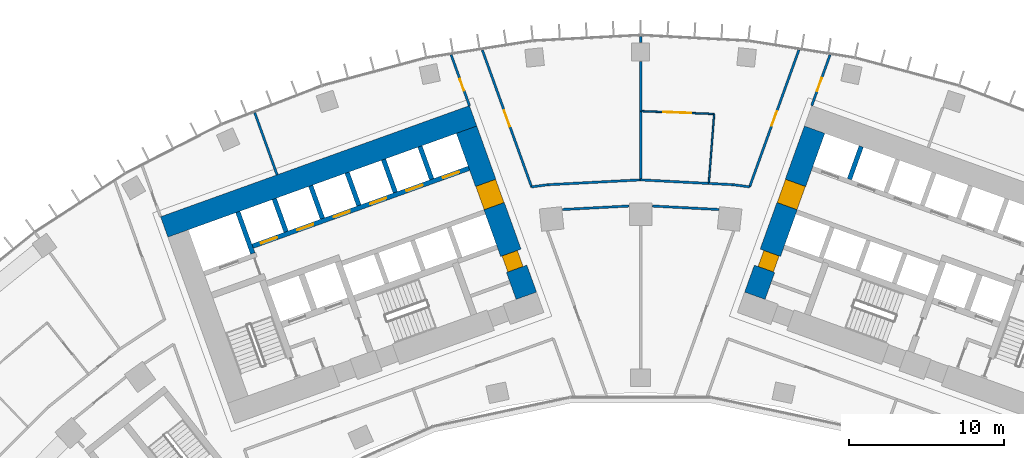
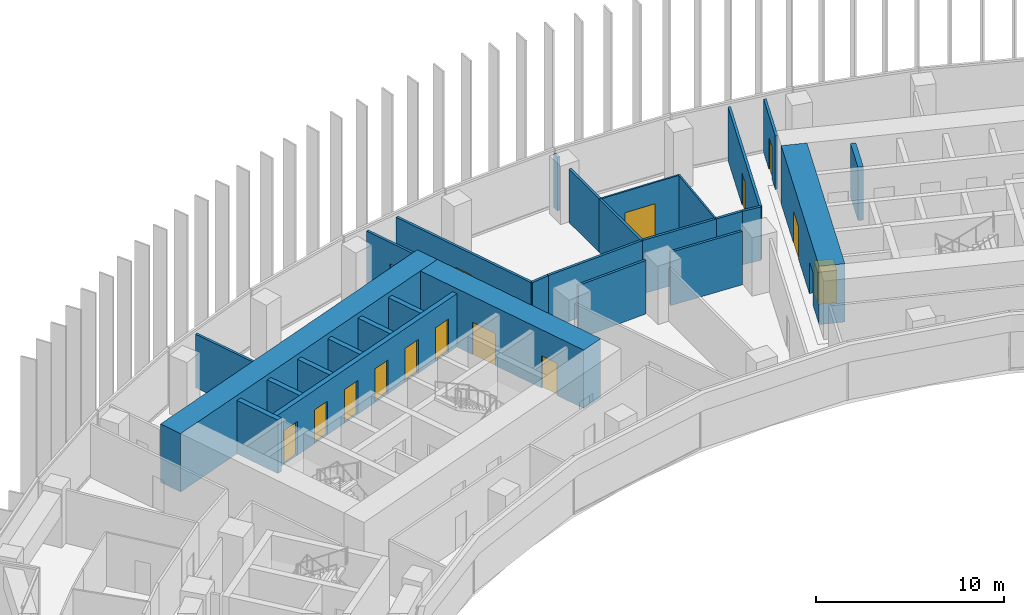
# One storey, part 17 of 22: 28 walls, 15 doors, 15 openings.
"""IFC4 building model written with IfcOpenShell, lengths in metres."""

from ifc_helpers import new_model, si_unit, direction, frame, frame_2d, origin, place, context, subcontext, project, spatial, rectangle, extrude, material, layer, layer_set, type_object, element, fill, save


model = new_model("IFC4")

# Units and contexts
model_context = context("Model", 3, precision=1e-05, world=origin(), true_north=direction((0.0, 1.0)))
body_context = subcontext(model_context, "Body", "Model", "MODEL_VIEW")
ifc_project = project(units=[si_unit("LENGTHUNIT", "METRE"), si_unit("AREAUNIT", "SQUARE_METRE"), si_unit("VOLUMEUNIT", "CUBIC_METRE"), si_unit("PLANEANGLEUNIT", "RADIAN"), si_unit("MASSUNIT", "GRAM", prefix="KILO")], contexts=[model_context])

# Site, building, storey
site_placement = place(None, origin())
site = spatial("IfcSite", under=ifc_project, at=site_placement, CompositionType="ELEMENT")
building_placement = place(site_placement, origin())
building = spatial("IfcBuilding", under=site, at=building_placement, Name="Stone Belt Terrace Tower", CompositionType="ELEMENT")
storey_placement = place(building_placement, frame((0.0, 0.0, 109.800048828125)))
storey = spatial("IfcBuildingStorey", under=building, at=storey_placement, Name="L26", CompositionType="ELEMENT", Elevation=109.800048828125)

# Wall
ifc_material_1 = material(Name="Concrete B80", Category="concrete")
ifc_layer_1 = layer(ifc_material_1, 1.39990234375)
ifc_layer_set_1 = layer_set([ifc_layer_1], Name="Core wall 1400 B80")
wall_type_1 = type_object("IfcWallType", Name="Core wall 1400 B80", PredefinedType="SHEAR", material=ifc_layer_set_1)
wall_1_placement = place(storey_placement, frame((-30.765380859375, 54.18310546875, 0.0), z_axis=(0.0, 0.0, 1.0), x_axis=(0.940919704758, 0.338629752382, 0.0)))
element("IfcWall", 1, at=wall_1_placement, inside=storey, type_object=wall_type_1, Name="Core A wall convex L26", PredefinedType="SHEAR", context=body_context, shape_type="SweptSolid", body=[
    extrude(rectangle(XDim=21.199951171875, YDim=1.39990234375, at=frame_2d((10.60009765625, 0.0))), origin(), (0.0, 0.0, 1.0), 3.800048828125),
])

# Wall, openings, doors
wall_2_placement = place(storey_placement, frame((-7.379150390625, 49.73974609375, 0.0), z_axis=(0.0, 0.0, 1.0), x_axis=(-0.338625431531, 0.940921259788, 0.0)))
wall_2 = element("IfcWall", 2, at=wall_2_placement, inside=storey, type_object=wall_type_1, Name="Core A wall end_b L26", PredefinedType="SHEAR", context=body_context, shape_type="SweptSolid", body=[
    extrude(rectangle(XDim=11.400146484375, YDim=1.39990234375, at=frame_2d((5.7001953125, 0.0))), origin(), (0.0, 0.0, 1.0), 3.800048828125),
])
opening_1_placement = place(wall_2_placement, frame((6.14990234375, 0.0, 0.0)))
opening_1 = element("IfcOpeningElement", 3, at=opening_1_placement, cuts=wall_2, Name="Opening L26-C02", PredefinedType="OPENING", context=body_context, shape_type="SweptSolid", body=[
    extrude(rectangle(XDim=1.60009765625, YDim=2.10009765625, at=frame_2d((0.800048828125, 1.050048828125))), frame((0.0, 0.7099609375, 0.0), z_axis=(0.0, -1.0, 0.0), x_axis=(1.0, 0.0, 0.0)), (0.0, 0.0, 1.0), 1.419921875),
])
opening_2_placement = place(wall_2_placement, frame((1.85009765625, 0.0, 0.0)))
opening_2 = element("IfcOpeningElement", 4, at=opening_2_placement, cuts=wall_2, Name="Opening L26-C08", PredefinedType="OPENING", context=body_context, shape_type="SweptSolid", body=[
    extrude(rectangle(XDim=1.10009765625, YDim=2.10009765625, at=frame_2d((0.550048828125, 1.050048828125))), frame((0.0, 0.7099609375, 0.0), z_axis=(0.0, -1.0, 0.0), x_axis=(1.0, 0.0, 0.0)), (0.0, 0.0, 1.0), 1.419921875),
])
ifc_material_2 = material(Name="Timber door leaf", Category="wood")
door_type_1 = type_object("IfcDoorType", Name="Core room door 1100", OperationType="SINGLE_SWING_LEFT", PredefinedType="DOOR", material=ifc_material_2)
door_1_placement = place(opening_2_placement, origin())
door_1 = element("IfcDoor", 5, at=door_1_placement, inside=storey, type_object=door_type_1, Name="Door to Accessible WC core A", OperationType="SINGLE_SWING_RIGHT", OverallHeight=2.10009765625, OverallWidth=1.10009765625, PredefinedType="DOOR", context=body_context, shape_type="SweptSolid", body=[
    extrude(rectangle(XDim=1.10009765625, YDim=2.10009765625, at=frame_2d((0.550048828125, 1.050048828125))), frame((0.0, 0.60498046875, 0.0), z_axis=(0.0, -1.0, 0.0), x_axis=(1.0, 0.0, 0.0)), (0.0, 0.0, 1.0), 1.050048828125),
])
fill(opening_2, door_1)
ifc_material_3 = material(Name="Glazed aluminium door leaf", Category="aluminium")
door_type_2 = type_object("IfcDoorType", Name="Lift lobby entrance door 1600", OperationType="DOUBLE_DOOR_SINGLE_SWING", PredefinedType="DOOR", material=ifc_material_3)
door_2_placement = place(opening_1_placement, origin())
door_2 = element("IfcDoor", 6, at=door_2_placement, inside=storey, type_object=door_type_2, Name="Lift lobby entrance door core A", OperationType="DOUBLE_DOOR_SINGLE_SWING", OverallHeight=2.10009765625, OverallWidth=1.60009765625, PredefinedType="DOOR", context=body_context, shape_type="SweptSolid", body=[
    extrude(rectangle(XDim=1.60009765625, YDim=2.10009765625, at=frame_2d((0.800048828125, 1.050048828125))), frame((0.0, 0.68017578125, 0.0), z_axis=(0.0, -1.0, 0.0), x_axis=(1.0, 0.0, 0.0)), (0.0, 0.0, 1.0), 1.360107421875),
])
fill(opening_1, door_2)

wall_3_placement = place(storey_placement, frame((7.379150390625, 49.73974609375, 0.0), z_axis=(0.0, 0.0, 1.0), x_axis=(0.338625431531, 0.940921259788, 0.0)))
wall_3 = element("IfcWall", 7, at=wall_3_placement, inside=storey, type_object=wall_type_1, Name="Core B wall end_a L26", PredefinedType="SHEAR", context=body_context, shape_type="SweptSolid", body=[
    extrude(rectangle(XDim=11.400146484375, YDim=1.39990234375, at=frame_2d((5.7001953125, 0.0))), origin(), (0.0, 0.0, 1.0), 3.800048828125),
])
opening_3_placement = place(wall_3_placement, frame((6.14990234375, 0.0, 0.0)))
opening_3 = element("IfcOpeningElement", 8, at=opening_3_placement, cuts=wall_3, Name="Opening L26-C11", PredefinedType="OPENING", context=body_context, shape_type="SweptSolid", body=[
    extrude(rectangle(XDim=1.60009765625, YDim=2.10009765625, at=frame_2d((0.800048828125, 1.050048828125))), frame((0.0, 0.7099609375, 0.0), z_axis=(0.0, -1.0, 0.0), x_axis=(1.0, 0.0, 0.0)), (0.0, 0.0, 1.0), 1.419921875),
])
opening_4_placement = place(wall_3_placement, frame((1.85009765625, 0.0, 0.0)))
opening_4 = element("IfcOpeningElement", 9, at=opening_4_placement, cuts=wall_3, Name="Opening L26-C17", PredefinedType="OPENING", context=body_context, shape_type="SweptSolid", body=[
    extrude(rectangle(XDim=1.10009765625, YDim=2.10009765625, at=frame_2d((0.550048828125, 1.050048828125))), frame((0.0, 0.7099609375, 0.0), z_axis=(0.0, -1.0, 0.0), x_axis=(1.0, 0.0, 0.0)), (0.0, 0.0, 1.0), 1.419921875),
])
door_3_placement = place(opening_4_placement, origin())
door_3 = element("IfcDoor", 10, at=door_3_placement, inside=storey, type_object=door_type_1, Name="Door to Accessible WC core B", OperationType="SINGLE_SWING_LEFT", OverallHeight=2.10009765625, OverallWidth=1.10009765625, PredefinedType="DOOR", context=body_context, shape_type="SweptSolid", body=[
    extrude(rectangle(XDim=1.10009765625, YDim=2.10009765625, at=frame_2d((0.550048828125, 1.050048828125))), frame((0.0, 0.44482421875, 0.0), z_axis=(0.0, -1.0, 0.0), x_axis=(1.0, 0.0, 0.0)), (0.0, 0.0, 1.0), 1.050048828125),
])
fill(opening_4, door_3)
door_4_placement = place(opening_3_placement, origin())
door_4 = element("IfcDoor", 11, at=door_4_placement, inside=storey, type_object=door_type_2, Name="Lift lobby entrance door core B", OperationType="DOUBLE_DOOR_SINGLE_SWING", OverallHeight=2.10009765625, OverallWidth=1.60009765625, PredefinedType="DOOR", context=body_context, shape_type="SweptSolid", body=[
    extrude(rectangle(XDim=1.60009765625, YDim=2.10009765625, at=frame_2d((0.800048828125, 1.050048828125))), frame((0.0, 0.68017578125, 0.0), z_axis=(0.0, -1.0, 0.0), x_axis=(1.0, 0.0, 0.0)), (0.0, 0.0, 1.0), 1.360107421875),
])
fill(opening_3, door_4)

# Wall
ifc_layer_2 = layer(ifc_material_1, 0.300048828125)
ifc_layer_set_2 = layer_set([ifc_layer_2], Name="Lift shaft wall 300")
wall_type_2 = type_object("IfcWallType", Name="Lift shaft wall 300", PredefinedType="SHEAR", material=ifc_layer_set_2)
wall_4_placement = place(storey_placement, frame((-25.046875, 52.46826171875, 0.0), z_axis=(0.0, 0.0, 1.0), x_axis=(-0.338549588058, 0.940948551423, 0.0)))
element("IfcWall", 12, at=wall_4_placement, inside=storey, type_object=wall_type_2, Name="Core A wall", PredefinedType="SHEAR", context=body_context, shape_type="SweptSolid", body=[
    extrude(rectangle(XDim=2.849853515625, YDim=0.300048828125, at=frame_2d((1.4248046875, 0.0))), origin(), (0.0, 0.0, 1.0), 3.47998046875),
])

# Wall, openings, doors
wall_5_placement = place(storey_placement, frame((-25.05810546875, 52.9423828125, 0.0), z_axis=(0.0, 0.0, 1.0), x_axis=(0.940918215764, 0.338633889685, 0.0)))
wall_5 = element("IfcWall", 13, at=wall_5_placement, inside=storey, type_object=wall_type_2, Name="Core A wall", PredefinedType="SHEAR", context=body_context, shape_type="SweptSolid", body=[
    extrude(rectangle(XDim=14.850341796875, YDim=0.300048828125, at=frame_2d((7.42529296875, 0.0))), origin(), (0.0, 0.0, 1.0), 3.47998046875),
])
opening_5_placement = place(wall_5_placement, frame((0.570068359375, 0.0, 0.0)))
opening_5 = element("IfcOpeningElement", 14, at=opening_5_placement, cuts=wall_5, Name="Opening L26-LD01", PredefinedType="OPENING", context=body_context, shape_type="SweptSolid", body=[
    extrude(rectangle(XDim=1.10009765625, YDim=2.199951171875, at=frame_2d((0.550048828125, 1.10009765625))), frame((0.0, 0.159912109375, 0.0), z_axis=(0.0, -1.0, 0.0), x_axis=(1.0, 0.0, 0.0)), (0.0, 0.0, 1.0), 0.320068359375),
])
opening_6_placement = place(wall_5_placement, frame((3.070068359375, 0.0, 0.0)))
opening_6 = element("IfcOpeningElement", 15, at=opening_6_placement, cuts=wall_5, Name="Opening L26-LD02", PredefinedType="OPENING", context=body_context, shape_type="SweptSolid", body=[
    extrude(rectangle(XDim=1.10009765625, YDim=2.199951171875, at=frame_2d((0.550048828125, 1.10009765625))), frame((0.0, 0.159912109375, 0.0), z_axis=(0.0, -1.0, 0.0), x_axis=(1.0, 0.0, 0.0)), (0.0, 0.0, 1.0), 0.320068359375),
])
opening_7_placement = place(wall_5_placement, frame((5.570068359375, 0.0, 0.0)))
opening_7 = element("IfcOpeningElement", 16, at=opening_7_placement, cuts=wall_5, Name="Opening L26-LD03", PredefinedType="OPENING", context=body_context, shape_type="SweptSolid", body=[
    extrude(rectangle(XDim=1.10009765625, YDim=2.199951171875, at=frame_2d((0.550048828125, 1.10009765625))), frame((0.0, 0.159912109375, 0.0), z_axis=(0.0, -1.0, 0.0), x_axis=(1.0, 0.0, 0.0)), (0.0, 0.0, 1.0), 0.320068359375),
])
opening_8_placement = place(wall_5_placement, frame((8.070068359375, 0.0, 0.0)))
opening_8 = element("IfcOpeningElement", 17, at=opening_8_placement, cuts=wall_5, Name="Opening L26-LD04", PredefinedType="OPENING", context=body_context, shape_type="SweptSolid", body=[
    extrude(rectangle(XDim=1.10009765625, YDim=2.199951171875, at=frame_2d((0.550048828125, 1.10009765625))), frame((0.0, 0.159912109375, 0.0), z_axis=(0.0, -1.0, 0.0), x_axis=(1.0, 0.0, 0.0)), (0.0, 0.0, 1.0), 0.320068359375),
])
opening_9_placement = place(wall_5_placement, frame((10.570068359375, 0.0, 0.0)))
opening_9 = element("IfcOpeningElement", 18, at=opening_9_placement, cuts=wall_5, Name="Opening L26-LD05", PredefinedType="OPENING", context=body_context, shape_type="SweptSolid", body=[
    extrude(rectangle(XDim=1.10009765625, YDim=2.199951171875, at=frame_2d((0.550048828125, 1.10009765625))), frame((0.0, 0.159912109375, 0.0), z_axis=(0.0, -1.0, 0.0), x_axis=(1.0, 0.0, 0.0)), (0.0, 0.0, 1.0), 0.320068359375),
])
opening_10_placement = place(wall_5_placement, frame((13.070068359375, 0.0, 0.0)))
opening_10 = element("IfcOpeningElement", 19, at=opening_10_placement, cuts=wall_5, Name="Opening L26-LD06", PredefinedType="OPENING", context=body_context, shape_type="SweptSolid", body=[
    extrude(rectangle(XDim=1.10009765625, YDim=2.199951171875, at=frame_2d((0.550048828125, 1.10009765625))), frame((0.0, 0.159912109375, 0.0), z_axis=(0.0, -1.0, 0.0), x_axis=(1.0, 0.0, 0.0)), (0.0, 0.0, 1.0), 0.320068359375),
])
ifc_material_4 = material(Name="Stainless steel door leaf", Category="steel")
door_type_3 = type_object("IfcDoorType", Name="Landing door 1100", OperationType="SLIDING_TO_LEFT", PredefinedType="DOOR", material=ifc_material_4)
door_5_placement = place(opening_5_placement, origin())
door_5 = element("IfcDoor", 20, at=door_5_placement, inside=storey, type_object=door_type_3, Name="Landing door LR1 core A", OperationType="SLIDING_TO_LEFT", OverallHeight=2.199951171875, OverallWidth=1.10009765625, PredefinedType="DOOR", context=body_context, shape_type="SweptSolid", body=[
    extrude(rectangle(XDim=1.10009765625, YDim=2.199951171875, at=frame_2d((0.550048828125, 1.10009765625))), frame((0.0, 0.02490234375, 0.0), z_axis=(0.0, -1.0, 0.0), x_axis=(1.0, 0.0, 0.0)), (0.0, 0.0, 1.0), 0.050048828125),
])
fill(opening_5, door_5)
door_6_placement = place(opening_6_placement, origin())
door_6 = element("IfcDoor", 21, at=door_6_placement, inside=storey, type_object=door_type_3, Name="Landing door LR2 core A", OperationType="SLIDING_TO_LEFT", OverallHeight=2.199951171875, OverallWidth=1.10009765625, PredefinedType="DOOR", context=body_context, shape_type="SweptSolid", body=[
    extrude(rectangle(XDim=1.10009765625, YDim=2.199951171875, at=frame_2d((0.550048828125, 1.10009765625))), frame((0.0, 0.02490234375, 0.0), z_axis=(0.0, -1.0, 0.0), x_axis=(1.0, 0.0, 0.0)), (0.0, 0.0, 1.0), 0.050048828125),
])
fill(opening_6, door_6)
door_7_placement = place(opening_7_placement, origin())
door_7 = element("IfcDoor", 22, at=door_7_placement, inside=storey, type_object=door_type_3, Name="Landing door LR3 core A", OperationType="SLIDING_TO_LEFT", OverallHeight=2.199951171875, OverallWidth=1.10009765625, PredefinedType="DOOR", context=body_context, shape_type="SweptSolid", body=[
    extrude(rectangle(XDim=1.10009765625, YDim=2.199951171875, at=frame_2d((0.550048828125, 1.10009765625))), frame((0.0, 0.02490234375, 0.0), z_axis=(0.0, -1.0, 0.0), x_axis=(1.0, 0.0, 0.0)), (0.0, 0.0, 1.0), 0.050048828125),
])
fill(opening_7, door_7)
door_8_placement = place(opening_8_placement, origin())
door_8 = element("IfcDoor", 23, at=door_8_placement, inside=storey, type_object=door_type_3, Name="Landing door LR4 core A", OperationType="SLIDING_TO_LEFT", OverallHeight=2.199951171875, OverallWidth=1.10009765625, PredefinedType="DOOR", context=body_context, shape_type="SweptSolid", body=[
    extrude(rectangle(XDim=1.10009765625, YDim=2.199951171875, at=frame_2d((0.550048828125, 1.10009765625))), frame((0.0, 0.02490234375, 0.0), z_axis=(0.0, -1.0, 0.0), x_axis=(1.0, 0.0, 0.0)), (0.0, 0.0, 1.0), 0.050048828125),
])
fill(opening_8, door_8)
door_9_placement = place(opening_9_placement, origin())
door_9 = element("IfcDoor", 24, at=door_9_placement, inside=storey, type_object=door_type_3, Name="Landing door LR5 core A", OperationType="SLIDING_TO_LEFT", OverallHeight=2.199951171875, OverallWidth=1.10009765625, PredefinedType="DOOR", context=body_context, shape_type="SweptSolid", body=[
    extrude(rectangle(XDim=1.10009765625, YDim=2.199951171875, at=frame_2d((0.550048828125, 1.10009765625))), frame((0.0, 0.02490234375, 0.0), z_axis=(0.0, -1.0, 0.0), x_axis=(1.0, 0.0, 0.0)), (0.0, 0.0, 1.0), 0.050048828125),
])
fill(opening_9, door_9)
door_10_placement = place(opening_10_placement, origin())
door_10 = element("IfcDoor", 25, at=door_10_placement, inside=storey, type_object=door_type_3, Name="Landing door LR6 core A", OperationType="SLIDING_TO_LEFT", OverallHeight=2.199951171875, OverallWidth=1.10009765625, PredefinedType="DOOR", context=body_context, shape_type="SweptSolid", body=[
    extrude(rectangle(XDim=1.10009765625, YDim=2.199951171875, at=frame_2d((0.550048828125, 1.10009765625))), frame((0.0, 0.02490234375, 0.0), z_axis=(0.0, -1.0, 0.0), x_axis=(1.0, 0.0, 0.0)), (0.0, 0.0, 1.0), 0.050048828125),
])
fill(opening_10, door_10)

# Walls
wall_6_placement = place(storey_placement, frame((-22.897705078125, 53.87939453125, 0.0), z_axis=(0.0, 0.0, 1.0), x_axis=(-0.338535034312, 0.940953787677, 0.0)))
element("IfcWall", 26, at=wall_6_placement, inside=storey, type_object=wall_type_2, Name="Core A wall", PredefinedType="SHEAR", context=body_context, shape_type="SweptSolid", body=[
    extrude(rectangle(XDim=2.25, YDim=0.300048828125, at=frame_2d((1.125, 0.0))), origin(), (0.0, 0.0, 1.0), 3.47998046875),
])
wall_7_placement = place(storey_placement, frame((-20.54541015625, 54.72607421875, 0.0), z_axis=(0.0, 0.0, 1.0), x_axis=(-0.338569601369, 0.940941350472, 0.0)))
element("IfcWall", 27, at=wall_7_placement, inside=storey, type_object=wall_type_2, Name="Core A wall", PredefinedType="SHEAR", context=body_context, shape_type="SweptSolid", body=[
    extrude(rectangle(XDim=2.249755859375, YDim=0.300048828125, at=frame_2d((1.125, 0.0))), origin(), (0.0, 0.0, 1.0), 3.47998046875),
])
wall_8_placement = place(storey_placement, frame((-18.193115234375, 55.572509765625, 0.0), z_axis=(0.0, 0.0, 1.0), x_axis=(-0.338535034312, 0.940953787677, 0.0)))
element("IfcWall", 28, at=wall_8_placement, inside=storey, type_object=wall_type_2, Name="Core A wall", PredefinedType="SHEAR", context=body_context, shape_type="SweptSolid", body=[
    extrude(rectangle(XDim=2.25, YDim=0.300048828125, at=frame_2d((1.125, 0.0))), origin(), (0.0, 0.0, 1.0), 3.47998046875),
])
wall_9_placement = place(storey_placement, frame((-15.8408203125, 56.419189453125, 0.0), z_axis=(0.0, 0.0, 1.0), x_axis=(-0.338569601369, 0.940941350472, 0.0)))
element("IfcWall", 29, at=wall_9_placement, inside=storey, type_object=wall_type_2, Name="Core A wall", PredefinedType="SHEAR", context=body_context, shape_type="SweptSolid", body=[
    extrude(rectangle(XDim=2.249755859375, YDim=0.300048828125, at=frame_2d((1.125, 0.0))), origin(), (0.0, 0.0, 1.0), 3.47998046875),
])
for number, where, z_axis, x_axis, name in (
    (30, (-13.48828125, 57.265625, 0.0), (0.0, 0.0, 1.0), (-0.338631098537, 0.940919220286, 0.0), "Core A wall"),
    (31, (13.48828125, 57.265625, 0.0), (0.0, 0.0, 1.0), (0.338631098537, 0.940919220286, 0.0), "Core B wall"),
):
    element("IfcWall", number, at=place(storey_placement, frame(where, z_axis=z_axis, x_axis=x_axis)), inside=storey, type_object=wall_type_2, Name=name, PredefinedType="SHEAR", context=body_context, shape_type="SweptSolid", body=[
        extrude(rectangle(XDim=2.250244140625, YDim=0.300048828125, at=frame_2d((1.125, 0.0))), origin(), (0.0, 0.0, 1.0), 3.47998046875),
    ])
ifc_material_5 = material(Name="Gypsum board partition")
ifc_layer_3 = layer(ifc_material_5, 0.10009765625)
ifc_layer_set_3 = layer_set([ifc_layer_3], Name="PARTITION 100")
wall_type_3 = type_object("IfcWallType", Name="PARTITION 100", PredefinedType="PARTITIONING", material=ifc_layer_set_3)
wall_10_placement = place(storey_placement, frame((4.405029296875, 56.9951171875, 0.0), z_axis=(0.0, 0.0, 1.0), x_axis=(0.077107292913, 0.997022800832, 0.0)))
element("IfcWall", 32, at=wall_10_placement, inside=storey, type_object=wall_type_3, Name="L26/wall/i094", PredefinedType="PARTITIONING", context=body_context, shape_type="SweptSolid", body=[
    extrude(rectangle(XDim=4.499267578125, YDim=0.10009765625, at=frame_2d((2.24951171875, 0.0))), origin(), (0.0, 0.0, 1.0), 3.47998046875),
])

# Wall, opening, door
wall_11_placement = place(storey_placement, frame((4.751953125, 61.48095703125, 0.0), z_axis=(0.0, 0.0, 1.0), x_axis=(-0.99925844213, 0.0385041015, 0.0)))
wall_11 = element("IfcWall", 33, at=wall_11_placement, inside=storey, type_object=wall_type_3, Name="L26/wall/i095", PredefinedType="PARTITIONING", context=body_context, shape_type="SweptSolid", body=[
    extrude(rectangle(XDim=4.75537109375, YDim=0.10009765625, at=frame_2d((2.377685546875, 0.0))), origin(), (0.0, 0.0, 1.0), 3.47998046875),
])
opening_11_placement = place(wall_11_placement, frame((1.477783203125, 0.0, 0.0)))
opening_11 = element("IfcOpeningElement", 34, at=opening_11_placement, cuts=wall_11, Name="Opening D-B3-30", PredefinedType="OPENING", context=body_context, shape_type="SweptSolid", body=[
    extrude(rectangle(XDim=1.800048828125, YDim=2.10009765625, at=frame_2d((0.89990234375, 1.050048828125))), frame((0.0, 0.06005859375, 0.0), z_axis=(0.0, -1.0, 0.0), x_axis=(1.0, 0.0, 0.0)), (0.0, 0.0, 1.0), 0.1201171875),
])
door_type_4 = type_object("IfcDoorType", Name="DOUBLE DOOR 1800 X 2100", OperationType="DOUBLE_DOOR_SINGLE_SWING", PredefinedType="DOOR", material=ifc_material_2)
door_11_placement = place(opening_11_placement, origin())
door_11 = element("IfcDoor", 35, at=door_11_placement, inside=storey, type_object=door_type_4, Name="L26/door/i30", OperationType="DOUBLE_DOOR_SINGLE_SWING", OverallHeight=2.10009765625, OverallWidth=1.800048828125, PredefinedType="DOOR", context=body_context, shape_type="SweptSolid", body=[
    extrude(rectangle(XDim=1.800048828125, YDim=2.10009765625, at=frame_2d((0.89990234375, 1.050048828125))), frame((0.0, 0.02490234375, 0.0), z_axis=(0.0, -1.0, 0.0), x_axis=(1.0, 0.0, 0.0)), (0.0, 0.0, 1.0), 0.050048828125),
])
fill(opening_11, door_11)

ifc_layer_4 = layer(ifc_material_5, 0.14990234375)
ifc_layer_set_4 = layer_set([ifc_layer_4], Name="PARTITION 150 EI 60")
wall_type_4 = type_object("IfcWallType", Name="PARTITION 150 EI 60", PredefinedType="PARTITIONING", material=ifc_layer_set_4)
wall_12_placement = place(storey_placement, frame((-11.054931640625, 62.02099609375, 0.0), z_axis=(0.0, 0.0, 1.0), x_axis=(-0.338853532575, 0.94083913793, 0.0)))
wall_12 = element("IfcWall", 36, at=wall_12_placement, inside=storey, type_object=wall_type_4, Name="L26/wall/i007", PredefinedType="PARTITIONING", context=body_context, shape_type="SweptSolid", body=[
    extrude(rectangle(XDim=3.482177734375, YDim=0.14990234375, at=frame_2d((1.7412109375, 0.0))), origin(), (0.0, 0.0, 1.0), 3.47998046875),
])
opening_12_placement = place(wall_12_placement, frame((1.02880859375, 0.0, 0.0)))
opening_12 = element("IfcOpeningElement", 37, at=opening_12_placement, cuts=wall_12, Name="Opening D-B3-04", PredefinedType="OPENING", context=body_context, shape_type="SweptSolid", body=[
    extrude(rectangle(XDim=0.800048828125, YDim=2.10009765625, at=frame_2d((0.39990234375, 1.050048828125))), frame((0.0, 0.0849609375, 0.0), z_axis=(0.0, -1.0, 0.0), x_axis=(1.0, 0.0, 0.0)), (0.0, 0.0, 1.0), 0.169921875),
])
door_type_5 = type_object("IfcDoorType", Name="STORE DOOR 800 X 2100", OperationType="NOTDEFINED", PredefinedType="DOOR", material=ifc_material_2)
door_12_placement = place(opening_12_placement, origin())
door_12 = element("IfcDoor", 38, at=door_12_placement, inside=storey, type_object=door_type_5, Name="L26/door/i04", OperationType="SINGLE_SWING_LEFT", OverallHeight=2.10009765625, OverallWidth=0.800048828125, PredefinedType="DOOR", context=body_context, shape_type="SweptSolid", body=[
    extrude(rectangle(XDim=0.800048828125, YDim=2.10009765625, at=frame_2d((0.39990234375, 1.050048828125))), frame((0.0, 0.02490234375, 0.0), z_axis=(0.0, -1.0, 0.0), x_axis=(1.0, 0.0, 0.0)), (0.0, 0.0, 1.0), 0.050048828125),
])
fill(opening_12, door_12)

wall_13_placement = place(storey_placement, frame((-10.223876953125, 65.6162109375, 0.0), z_axis=(0.0, 0.0, 1.0), x_axis=(0.338637655092, -0.940916860596, 0.0)))
wall_13 = element("IfcWall", 39, at=wall_13_placement, inside=storey, type_object=wall_type_4, Name="L26/wall/i009", PredefinedType="PARTITIONING", context=body_context, shape_type="SweptSolid", body=[
    extrude(rectangle(XDim=9.40478515625, YDim=0.14990234375, at=frame_2d((4.702392578125, 0.0))), origin(), (0.0, 0.0, 1.0), 3.47998046875),
])
opening_13_placement = place(wall_13_placement, frame((4.15234375, 0.0, 0.0)))
opening_13 = element("IfcOpeningElement", 40, at=opening_13_placement, cuts=wall_13, Name="Opening D-B3-28", PredefinedType="OPENING", context=body_context, shape_type="SweptSolid", body=[
    extrude(rectangle(XDim=1.10009765625, YDim=2.10009765625, at=frame_2d((0.550048828125, 1.050048828125))), frame((0.0, 0.0849609375, 0.0), z_axis=(0.0, -1.0, 0.0), x_axis=(1.0, 0.0, 0.0)), (0.0, 0.0, 1.0), 0.169921875),
])
ifc_material_6 = material(Name="Steel fire door set", Category="steel")
door_type_6 = type_object("IfcDoorType", Name="SERVICE ROOM DOOR 1100 X 2100", OperationType="NOTDEFINED", PredefinedType="DOOR", material=ifc_material_6)
door_13_placement = place(opening_13_placement, origin())
door_13 = element("IfcDoor", 41, at=door_13_placement, inside=storey, type_object=door_type_6, Name="L26/door/i28", OperationType="SINGLE_SWING_RIGHT", OverallHeight=2.10009765625, OverallWidth=1.10009765625, PredefinedType="DOOR", context=body_context, shape_type="SweptSolid", body=[
    extrude(rectangle(XDim=1.10009765625, YDim=2.10009765625, at=frame_2d((0.550048828125, 1.050048828125))), frame((0.0, 0.02490234375, 0.0), z_axis=(0.0, -1.0, 0.0), x_axis=(1.0, 0.0, 0.0)), (0.0, 0.0, 1.0), 0.050048828125),
])
fill(opening_13, door_13)

# Wall
wall_14_placement = place(storey_placement, frame((-24.921875, 61.566162109375, 0.0), z_axis=(0.0, 0.0, 1.0), x_axis=(0.338516906477, -0.940960309487, 0.0)))
element("IfcWall", 42, at=wall_14_placement, inside=storey, type_object=wall_type_4, Name="L26/wall/i013", PredefinedType="PARTITIONING", context=body_context, shape_type="SweptSolid", body=[
    extrude(rectangle(XDim=4.26806640625, YDim=0.14990234375, at=frame_2d((2.134033203125, 0.0))), origin(), (0.0, 0.0, 1.0), 3.47998046875),
])

# Wall, opening, door
wall_15_placement = place(storey_placement, frame((12.23486328125, 65.297119140625, 0.0), z_axis=(0.0, 0.0, 1.0), x_axis=(-0.338853532575, -0.94083913793, 0.0)))
wall_15 = element("IfcWall", 43, at=wall_15_placement, inside=storey, type_object=wall_type_4, Name="L26/wall/i015", PredefinedType="PARTITIONING", context=body_context, shape_type="SweptSolid", body=[
    extrude(rectangle(XDim=3.482177734375, YDim=0.14990234375, at=frame_2d((1.7412109375, 0.0))), origin(), (0.0, 0.0, 1.0), 3.47998046875),
])
opening_14_placement = place(wall_15_placement, frame((1.58837890625, 0.0, 0.0)))
opening_14 = element("IfcOpeningElement", 44, at=opening_14_placement, cuts=wall_15, Name="Opening D-B3-07", PredefinedType="OPENING", context=body_context, shape_type="SweptSolid", body=[
    extrude(rectangle(XDim=0.89990234375, YDim=2.10009765625, at=frame_2d((0.449951171875, 1.050048828125))), frame((0.0, 0.0849609375, 0.0), z_axis=(0.0, -1.0, 0.0), x_axis=(1.0, 0.0, 0.0)), (0.0, 0.0, 1.0), 0.169921875),
])
door_type_7 = type_object("IfcDoorType", Name="OFFICE DOOR 900 X 2100", OperationType="NOTDEFINED", PredefinedType="DOOR", material=ifc_material_2)
door_14_placement = place(opening_14_placement, origin())
door_14 = element("IfcDoor", 45, at=door_14_placement, inside=storey, type_object=door_type_7, Name="L26/door/i07", OperationType="SINGLE_SWING_RIGHT", OverallHeight=2.10009765625, OverallWidth=0.89990234375, PredefinedType="DOOR", context=body_context, shape_type="SweptSolid", body=[
    extrude(rectangle(XDim=0.89990234375, YDim=2.10009765625, at=frame_2d((0.449951171875, 1.050048828125))), frame((0.0, 0.02490234375, 0.0), z_axis=(0.0, -1.0, 0.0), x_axis=(1.0, 0.0, 0.0)), (0.0, 0.0, 1.0), 0.050048828125),
])
fill(opening_14, door_14)

wall_16_placement = place(storey_placement, frame((7.0390625, 56.76708984375, 0.0), z_axis=(0.0, 0.0, 1.0), x_axis=(0.338637655092, 0.940916860596, 0.0)))
wall_16 = element("IfcWall", 46, at=wall_16_placement, inside=storey, type_object=wall_type_4, Name="L26/wall/i017", PredefinedType="PARTITIONING", context=body_context, shape_type="SweptSolid", body=[
    extrude(rectangle(XDim=9.40478515625, YDim=0.14990234375, at=frame_2d((4.702392578125, 0.0))), origin(), (0.0, 0.0, 1.0), 3.47998046875),
])
opening_15_placement = place(wall_16_placement, frame((4.202392578125, 0.0, 0.0)))
opening_15 = element("IfcOpeningElement", 47, at=opening_15_placement, cuts=wall_16, Name="Opening D-B3-29", PredefinedType="OPENING", context=body_context, shape_type="SweptSolid", body=[
    extrude(rectangle(XDim=1.0, YDim=2.10009765625, at=frame_2d((0.5, 1.050048828125))), frame((0.0, 0.0849609375, 0.0), z_axis=(0.0, -1.0, 0.0), x_axis=(1.0, 0.0, 0.0)), (0.0, 0.0, 1.0), 0.169921875),
])
ifc_material_7 = material(Name="Timber fire door leaf", Category="wood")
door_type_8 = type_object("IfcDoorType", Name="TENANCY ENTRANCE DOOR 1000 X 2100", OperationType="NOTDEFINED", PredefinedType="DOOR", material=ifc_material_7)
door_15_placement = place(opening_15_placement, origin())
door_15 = element("IfcDoor", 48, at=door_15_placement, inside=storey, type_object=door_type_8, Name="L26/door/i29", OperationType="SINGLE_SWING_RIGHT", OverallHeight=2.10009765625, OverallWidth=1.0, PredefinedType="DOOR", context=body_context, shape_type="SweptSolid", body=[
    extrude(rectangle(XDim=1.0, YDim=2.10009765625, at=frame_2d((0.5, 1.050048828125))), frame((0.0, 0.02490234375, 0.0), z_axis=(0.0, -1.0, 0.0), x_axis=(1.0, 0.0, 0.0)), (0.0, 0.0, 1.0), 0.050048828125),
])
fill(opening_15, door_15)

# Walls
for number, where, z_axis, x_axis, name in (
    (49, (-0.7548828125, 55.535400390625, 0.0), (0.0, 0.0, 1.0), (-0.998635163173, -0.052228448909, 0.0), "L26/wall/i083"),
    (50, (5.05419921875, 55.310546875, 0.0), (0.0, 0.0, 1.0), (-0.998635163173, 0.052228448909, 0.0), "L26/wall/i084"),
):
    element("IfcWall", number, at=place(storey_placement, frame(where, z_axis=z_axis, x_axis=x_axis)), inside=storey, type_object=wall_type_4, Name=name, PredefinedType="PARTITIONING", context=body_context, shape_type="SweptSolid", body=[
        extrude(rectangle(XDim=4.30517578125, YDim=0.14990234375, at=frame_2d((2.152587890625, 0.0))), origin(), (0.0, 0.0, 1.0), 3.47998046875),
    ])
wall_17_placement = place(storey_placement, frame((-7.041015625, 56.77294921875, 0.0), z_axis=(0.0, 0.0, 1.0), x_axis=(0.991477617634, 0.130277142013, 0.0)))
element("IfcWall", 51, at=wall_17_placement, inside=storey, type_object=wall_type_4, Name="L26/wall/i085", PredefinedType="PARTITIONING", context=body_context, shape_type="SweptSolid", body=[
    extrude(rectangle(XDim=1.068115234375, YDim=0.14990234375, at=frame_2d((0.5341796875, 0.0))), origin(), (0.0, 0.0, 1.0), 3.47998046875),
])
wall_18_placement = place(storey_placement, frame((-5.98193359375, 56.912109375, 0.0), z_axis=(0.0, 0.0, 1.0), x_axis=(0.998633994648, 0.052250786921, 0.0)))
element("IfcWall", 52, at=wall_18_placement, inside=storey, type_object=wall_type_4, Name="L26/wall/i086", PredefinedType="PARTITIONING", context=body_context, shape_type="SweptSolid", body=[
    extrude(rectangle(XDim=5.990234375, YDim=0.14990234375, at=frame_2d((2.9951171875, 0.0))), origin(), (0.0, 0.0, 1.0), 3.47998046875),
])
wall_19_placement = place(storey_placement, frame((4.39892578125, 56.9951171875, 0.0), z_axis=(0.0, 0.0, 1.0), x_axis=(0.998628021373, -0.052364825303, 0.0)))
element("IfcWall", 53, at=wall_19_placement, inside=storey, type_object=wall_type_4, Name="L26/wall/i087", PredefinedType="PARTITIONING", context=body_context, shape_type="SweptSolid", body=[
    extrude(rectangle(XDim=1.585205078125, YDim=0.14990234375, at=frame_2d((0.79248046875, 0.0))), origin(), (0.0, 0.0, 1.0), 3.47998046875),
])
wall_20_placement = place(storey_placement, frame((5.98193359375, 56.912109375, 0.0), z_axis=(0.0, 0.0, 1.0), x_axis=(0.991477617634, -0.130277142013, 0.0)))
element("IfcWall", 54, at=wall_20_placement, inside=storey, type_object=wall_type_4, Name="L26/wall/i088", PredefinedType="PARTITIONING", context=body_context, shape_type="SweptSolid", body=[
    extrude(rectangle(XDim=1.068115234375, YDim=0.14990234375, at=frame_2d((0.5341796875, 0.0))), origin(), (0.0, 0.0, 1.0), 3.47998046875),
])
wall_21_placement = place(storey_placement, frame((0.0, 57.22509765625, 0.0), z_axis=(0.0, 0.0, 1.0), x_axis=(0.998629105291, -0.052344150258, 0.0)))
element("IfcWall", 55, at=wall_21_placement, inside=storey, type_object=wall_type_4, Name="L26/wall/i089", PredefinedType="PARTITIONING", context=body_context, shape_type="SweptSolid", body=[
    extrude(rectangle(XDim=4.4169921875, YDim=0.14990234375, at=frame_2d((2.20849609375, 0.0))), origin(), (0.0, 0.0, 1.0), 3.47998046875),
])
wall_22_placement = place(storey_placement, frame((0.0, 66.5, 0.0), z_axis=(0.0, 0.0, 1.0), x_axis=(0.0, -1.0, 0.0)))
element("IfcWall", 56, at=wall_22_placement, inside=storey, type_object=wall_type_4, Name="L26/wall/i091", PredefinedType="PARTITIONING", context=body_context, shape_type="SweptSolid", body=[
    extrude(rectangle(XDim=0.406005859375, YDim=0.14990234375, at=frame_2d((0.203125, 0.0))), origin(), (0.0, 0.0, 1.0), 3.47998046875),
])
wall_23_placement = place(storey_placement, frame((0.0, 64.8837890625, 0.0), z_axis=(0.0, 0.0, 1.0), x_axis=(0.0, -1.0, 0.0)))
element("IfcWall", 57, at=wall_23_placement, inside=storey, type_object=wall_type_4, Name="L26/wall/i092", PredefinedType="PARTITIONING", context=body_context, shape_type="SweptSolid", body=[
    extrude(rectangle(XDim=3.225830078125, YDim=0.14990234375, at=frame_2d((1.61279296875, 0.0))), origin(), (0.0, 0.0, 1.0), 3.47998046875),
])
wall_24_placement = place(storey_placement, frame((0.0, 61.669921875, 0.0), z_axis=(0.0, 0.0, 1.0), x_axis=(0.0, -1.0, 0.0)))
element("IfcWall", 58, at=wall_24_placement, inside=storey, type_object=wall_type_4, Name="L26/wall/i093", PredefinedType="PARTITIONING", context=body_context, shape_type="SweptSolid", body=[
    extrude(rectangle(XDim=4.44482421875, YDim=0.14990234375, at=frame_2d((2.222412109375, 0.0))), origin(), (0.0, 0.0, 1.0), 3.47998046875),
])

save(model, "model.ifc")
